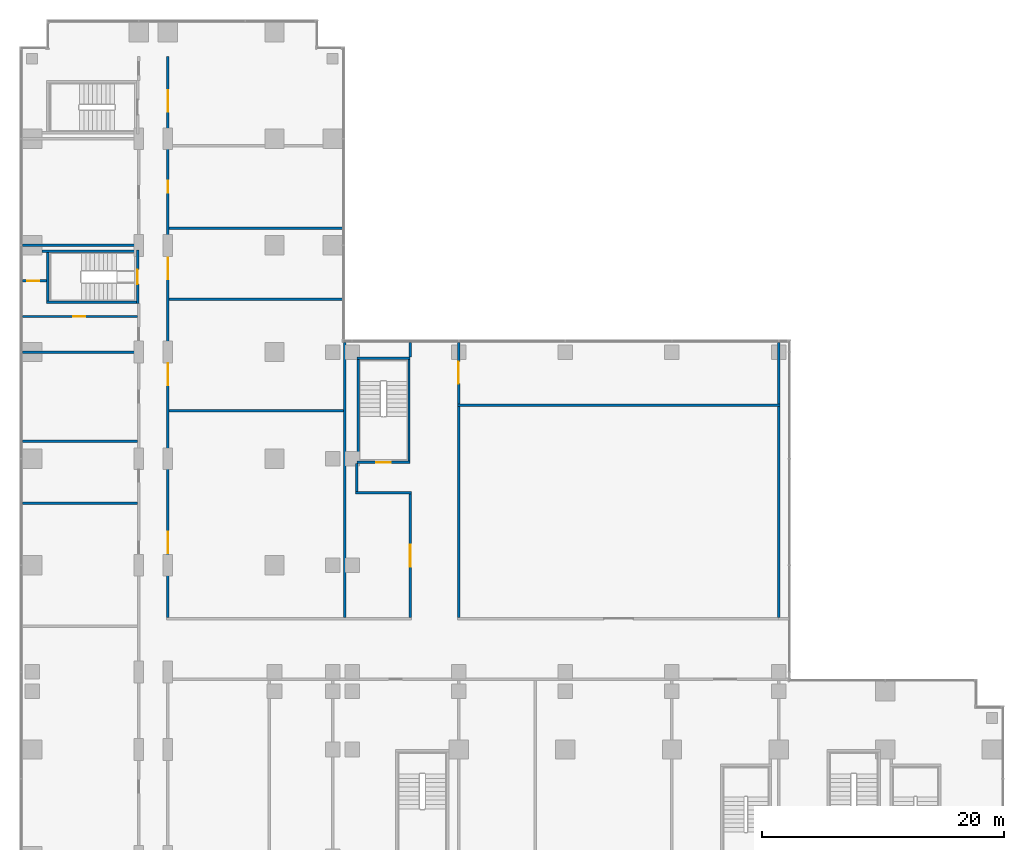
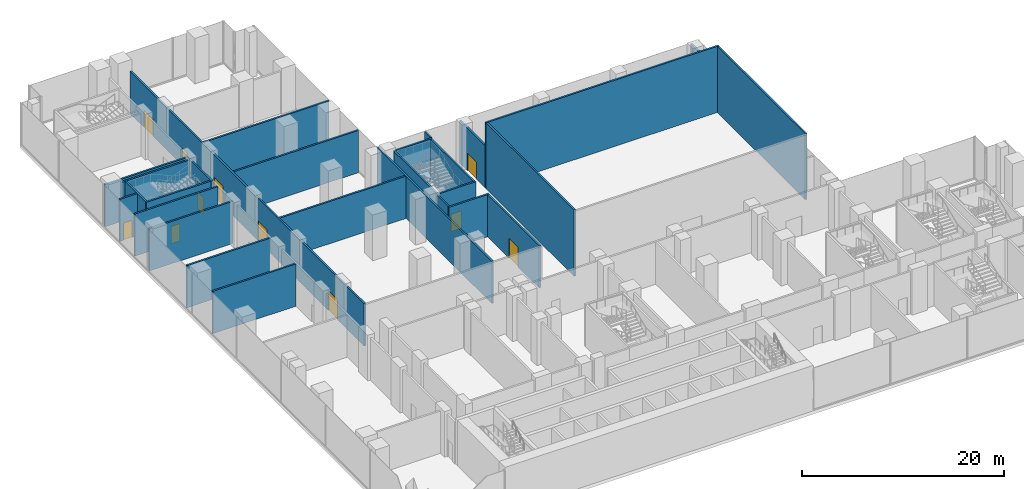
# One storey, part 20 of 30: 28 walls, 11 doors, 11 openings.
"""IFC4 building model written with IfcOpenShell, lengths in metres."""

from ifc_helpers import new_model, si_unit, direction, frame, frame_2d, origin, place, context, subcontext, project, spatial, rectangle, extrude, material, layer, layer_set, type_object, element, fill, save


model = new_model("IFC4")

# Units and contexts
model_context = context("Model", 3, precision=1e-05, world=origin(), true_north=direction((0.0, 1.0)))
body_context = subcontext(model_context, "Body", "Model", "MODEL_VIEW")
ifc_project = project(units=[si_unit("LENGTHUNIT", "METRE"), si_unit("AREAUNIT", "SQUARE_METRE"), si_unit("VOLUMEUNIT", "CUBIC_METRE"), si_unit("PLANEANGLEUNIT", "RADIAN"), si_unit("MASSUNIT", "GRAM", prefix="KILO")], contexts=[model_context])

# Site, building, storey
site_placement = place(None, origin())
site = spatial("IfcSite", under=ifc_project, at=site_placement, CompositionType="ELEMENT")
building_placement = place(site_placement, origin())
building = spatial("IfcBuilding", under=site, at=building_placement, Name="Kemantara Hotel Tower", CompositionType="ELEMENT")
storey_placement = place(building_placement, frame((0.0, 0.0, 18.0)))
storey = spatial("IfcBuildingStorey", under=building, at=storey_placement, Name="L03", CompositionType="ELEMENT", Elevation=18.0)

# Wall, opening, door
ifc_material_1 = material(Name="Concrete fc 40 MPa", Category="concrete")
ifc_layer_1 = layer(ifc_material_1, 0.199951171875)
ifc_layer_set_1 = layer_set([ifc_layer_1], Name="Concrete fc 40 MPa")
wall_type_1 = type_object("IfcWallType", Name="Concrete stair wall 200 mm", PredefinedType="SHEAR", material=ifc_layer_set_1)
wall_1_placement = place(storey_placement, frame((9.699951171875, 57.800048828125, 0.0), z_axis=(0.0, 0.0, 1.0), x_axis=(0.0, 1.0, 0.0)))
wall_1 = element("IfcWall", 1, at=wall_1_placement, inside=storey, type_object=wall_type_1, Name="Stair ST4 enclosure wall with door", PredefinedType="SHEAR", context=body_context, shape_type="SweptSolid", body=[
    extrude(rectangle(XDim=4.39990234375, YDim=0.199951171875, at=frame_2d((2.199951171875, 0.0))), origin(), (0.0, 0.0, 1.0), 5.10009765625),
])
opening_1_placement = place(wall_1_placement, frame((1.60009765625, 0.0, 0.0)))
opening_1 = element("IfcOpeningElement", 2, at=opening_1_placement, cuts=wall_1, Name="Opening ST4-C", PredefinedType="OPENING", context=body_context, shape_type="SweptSolid", body=[
    extrude(rectangle(XDim=1.199951171875, YDim=2.10009765625, at=frame_2d((0.60009765625, 1.050048828125))), frame((0.0, 0.10986328125, 0.0), z_axis=(0.0, -1.0, 0.0), x_axis=(1.0, 0.0, 0.0)), (0.0, 0.0, 1.0), 0.219970703125),
])
ifc_material_2 = material(Name="Steel fire door", Category="steel")
door_type_1 = type_object("IfcDoorType", Name="Fire door FD90 1200 x 2100", OperationType="NOTDEFINED", PredefinedType="DOOR", material=ifc_material_2)
door_1_placement = place(opening_1_placement, origin())
door_1 = element("IfcDoor", 3, at=door_1_placement, inside=storey, type_object=door_type_1, Name="Stair ST4 door", OperationType="SINGLE_SWING_RIGHT", OverallHeight=2.10009765625, OverallWidth=1.199951171875, PredefinedType="DOOR", context=body_context, shape_type="SweptSolid", body=[
    extrude(rectangle(XDim=1.199951171875, YDim=2.10009765625, at=frame_2d((0.60009765625, 1.050048828125))), frame((0.0, 0.02490234375, 0.0), z_axis=(0.0, -1.0, 0.0), x_axis=(1.0, 0.0, 0.0)), (0.0, 0.0, 1.0), 0.050048828125),
])
fill(opening_1, door_1)

# Walls
wall_2_placement = place(storey_placement, frame((1.800048828125, 62.10009765625, 0.0), z_axis=(0.0, 0.0, 1.0), x_axis=(1.0, 0.0, 0.0)))
element("IfcWall", 4, at=wall_2_placement, inside=storey, type_object=wall_type_1, Name="Stair ST4 enclosure wall N", PredefinedType="SHEAR", context=body_context, shape_type="SweptSolid", body=[
    extrude(rectangle(XDim=7.800048828125, YDim=0.199951171875, at=frame_2d((3.89990234375, 0.0))), origin(), (0.0, 0.0, 1.0), 5.10009765625),
])
wall_3_placement = place(storey_placement, frame((2.199951171875, 57.89990234375, 0.0), z_axis=(0.0, 0.0, 1.0), x_axis=(1.0, 0.0, 0.0)))
element("IfcWall", 5, at=wall_3_placement, inside=storey, type_object=wall_type_1, Name="Stair ST4 enclosure wall S", PredefinedType="SHEAR", context=body_context, shape_type="SweptSolid", body=[
    extrude(rectangle(XDim=7.400146484375, YDim=0.199951171875, at=frame_2d((3.7001953125, 0.0))), origin(), (0.0, 0.0, 1.0), 5.10009765625),
])
wall_4_placement = place(storey_placement, frame((2.300048828125, 58.0, 0.0), z_axis=(0.0, 0.0, 1.0), x_axis=(0.0, 1.0, 0.0)))
element("IfcWall", 6, at=wall_4_placement, inside=storey, type_object=wall_type_1, Name="Stair ST4 enclosure wall W", PredefinedType="SHEAR", context=body_context, shape_type="SweptSolid", body=[
    extrude(rectangle(XDim=4.0, YDim=0.199951171875, at=frame_2d((2.0, 0.0))), origin(), (0.0, 0.0, 1.0), 5.10009765625),
])

# Wall, opening, door
wall_5_placement = place(storey_placement, frame((27.800048828125, 44.699951171875, 0.0), z_axis=(0.0, 0.0, 1.0), x_axis=(1.0, 0.0, 0.0)))
wall_5 = element("IfcWall", 7, at=wall_5_placement, inside=storey, type_object=wall_type_1, Name="Stair PS2 enclosure wall with door", PredefinedType="SHEAR", context=body_context, shape_type="SweptSolid", body=[
    extrude(rectangle(XDim=4.39990234375, YDim=0.199951171875, at=frame_2d((2.199951171875, 0.0))), origin(), (0.0, 0.0, 1.0), 5.10009765625),
])
opening_2_placement = place(wall_5_placement, frame((1.60009765625, 0.0, 0.0)))
opening_2 = element("IfcOpeningElement", 8, at=opening_2_placement, cuts=wall_5, Name="Opening PS2-C", PredefinedType="OPENING", context=body_context, shape_type="SweptSolid", body=[
    extrude(rectangle(XDim=1.199951171875, YDim=2.10009765625, at=frame_2d((0.60009765625, 1.050048828125))), frame((0.0, 0.10986328125, 0.0), z_axis=(0.0, -1.0, 0.0), x_axis=(1.0, 0.0, 0.0)), (0.0, 0.0, 1.0), 0.219970703125),
])
door_2_placement = place(opening_2_placement, origin())
door_2 = element("IfcDoor", 9, at=door_2_placement, inside=storey, type_object=door_type_1, Name="Stair PS2 door", OperationType="SINGLE_SWING_LEFT", OverallHeight=2.10009765625, OverallWidth=1.199951171875, PredefinedType="DOOR", context=body_context, shape_type="SweptSolid", body=[
    extrude(rectangle(XDim=1.199951171875, YDim=2.10009765625, at=frame_2d((0.60009765625, 1.050048828125))), frame((0.0, 0.02490234375, 0.0), z_axis=(0.0, -1.0, 0.0), x_axis=(1.0, 0.0, 0.0)), (0.0, 0.0, 1.0), 0.050048828125),
])
fill(opening_2, door_2)

# Walls
wall_6_placement = place(storey_placement, frame((27.800048828125, 53.300048828125, 0.0), z_axis=(0.0, 0.0, 1.0), x_axis=(1.0, 0.0, 0.0)))
element("IfcWall", 10, at=wall_6_placement, inside=storey, type_object=wall_type_1, Name="Stair PS2 enclosure wall N", PredefinedType="SHEAR", context=body_context, shape_type="SweptSolid", body=[
    extrude(rectangle(XDim=4.39990234375, YDim=0.199951171875, at=frame_2d((2.199951171875, 0.0))), origin(), (0.0, 0.0, 1.0), 5.10009765625),
])
for number, where, z_axis, x_axis, name in (
    (11, (27.89990234375, 44.800048828125, 0.0), (0.0, 0.0, 1.0), (0.0, 1.0, 0.0), "Stair PS2 enclosure wall W"),
    (12, (32.10009765625, 44.800048828125, 0.0), (0.0, 0.0, 1.0), (0.0, 1.0, 0.0), "Stair PS2 enclosure wall E"),
):
    element("IfcWall", number, at=place(storey_placement, frame(where, z_axis=z_axis, x_axis=x_axis)), inside=storey, type_object=wall_type_1, Name=name, PredefinedType="SHEAR", context=body_context, shape_type="SweptSolid", body=[
        extrude(rectangle(XDim=8.39990234375, YDim=0.199951171875, at=frame_2d((4.199951171875, 0.0))), origin(), (0.0, 0.0, 1.0), 5.10009765625),
    ])
ifc_material_3 = material(Name="Clay brick masonry", Category="masonry")
ifc_layer_2 = layer(ifc_material_3, 0.199951171875)
ifc_layer_set_2 = layer_set([ifc_layer_2], Name="Clay brick masonry")
wall_type_2 = type_object("IfcWallType", Name="FIRE-RATED CLAY BRICK WALL 200 EI 120", PredefinedType="PARTITIONING", material=ifc_layer_set_2)
wall_7_placement = place(storey_placement, frame((62.60009765625, 31.89990234375, 0.0), z_axis=(0.0, 0.0, 1.0), x_axis=(0.0, 1.0, 0.0)))
element("IfcWall", 13, at=wall_7_placement, inside=storey, type_object=wall_type_2, Name="FIRE WALL", PredefinedType="PARTITIONING", context=body_context, shape_type="SweptSolid", body=[
    extrude(rectangle(XDim=17.400146484375, YDim=0.199951171875, at=frame_2d((8.7001953125, 0.0))), origin(), (0.0, 0.0, 1.0), 8.0),
])
wall_8_placement = place(storey_placement, frame((62.60009765625, 49.5, 0.0), z_axis=(0.0, 0.0, 1.0), x_axis=(0.0, 1.0, 0.0)))
element("IfcWall", 14, at=wall_8_placement, inside=storey, type_object=wall_type_2, Name="FIRE WALL", PredefinedType="PARTITIONING", context=body_context, shape_type="SweptSolid", body=[
    extrude(rectangle(XDim=5.10009765625, YDim=0.199951171875, at=frame_2d((2.550048828125, 0.0))), origin(), (0.0, 0.0, 1.0), 5.10009765625),
])

# Wall, openings, doors
ifc_material_4 = material(Name="Fire-rated gypsum board partition")
ifc_layer_3 = layer(ifc_material_4, 0.199951171875)
ifc_layer_set_3 = layer_set([ifc_layer_3], Name="Fire-rated gypsum board partition")
wall_type_3 = type_object("IfcWallType", Name="FIRE-RATED GYPSUM PARTITION 200 EI 60", PredefinedType="PARTITIONING", material=ifc_layer_set_3)
wall_9_placement = place(storey_placement, frame((12.199951171875, 31.89990234375, 0.0), z_axis=(0.0, 0.0, 1.0), x_axis=(0.0, 1.0, 0.0)))
wall_9 = element("IfcWall", 15, at=wall_9_placement, inside=storey, type_object=wall_type_3, Name="FIRE-RATED PARTITION", PredefinedType="PARTITIONING", context=body_context, shape_type="SweptSolid", body=[
    extrude(rectangle(XDim=46.300048828125, YDim=0.199951171875, at=frame_2d((23.14990234375, 0.0))), origin(), (0.0, 0.0, 1.0), 5.10009765625),
])
opening_3_placement = place(wall_9_placement, frame((5.2900390625, 0.0, 0.0)))
opening_3 = element("IfcOpeningElement", 16, at=opening_3_placement, cuts=wall_9, Name="Opening L03-B014", PredefinedType="OPENING", context=body_context, shape_type="SweptSolid", body=[
    extrude(rectangle(XDim=1.800048828125, YDim=2.39990234375, at=frame_2d((0.89990234375, 1.199951171875))), frame((0.0, 0.10986328125, 0.0), z_axis=(0.0, -1.0, 0.0), x_axis=(1.0, 0.0, 0.0)), (0.0, 0.0, 1.0), 0.219970703125),
])
opening_4_placement = place(wall_9_placement, frame((19.1650390625, 0.0, 0.0)))
opening_4 = element("IfcOpeningElement", 17, at=opening_4_placement, cuts=wall_9, Name="Opening L03-B015", PredefinedType="OPENING", context=body_context, shape_type="SweptSolid", body=[
    extrude(rectangle(XDim=1.800048828125, YDim=2.39990234375, at=frame_2d((0.89990234375, 1.199951171875))), frame((0.0, 0.10986328125, 0.0), z_axis=(0.0, -1.0, 0.0), x_axis=(1.0, 0.0, 0.0)), (0.0, 0.0, 1.0), 0.219970703125),
])
opening_5_placement = place(wall_9_placement, frame((27.89501953125, 0.0, 0.0)))
opening_5 = element("IfcOpeningElement", 18, at=opening_5_placement, cuts=wall_9, Name="Opening L03-B016", PredefinedType="OPENING", context=body_context, shape_type="SweptSolid", body=[
    extrude(rectangle(XDim=1.800048828125, YDim=2.39990234375, at=frame_2d((0.89990234375, 1.199951171875))), frame((0.0, 0.10986328125, 0.0), z_axis=(0.0, -1.0, 0.0), x_axis=(1.0, 0.0, 0.0)), (0.0, 0.0, 1.0), 0.219970703125),
])
opening_6_placement = place(wall_9_placement, frame((35.02490234375, 0.0, 0.0)))
opening_6 = element("IfcOpeningElement", 19, at=opening_6_placement, cuts=wall_9, Name="Opening L03-B017", PredefinedType="OPENING", context=body_context, shape_type="SweptSolid", body=[
    extrude(rectangle(XDim=1.0, YDim=2.10009765625, at=frame_2d((0.5, 1.050048828125))), frame((0.0, 0.10986328125, 0.0), z_axis=(0.0, -1.0, 0.0), x_axis=(1.0, 0.0, 0.0)), (0.0, 0.0, 1.0), 0.219970703125),
])
opening_7_placement = place(wall_9_placement, frame((41.7099609375, 0.0, 0.0)))
opening_7 = element("IfcOpeningElement", 20, at=opening_7_placement, cuts=wall_9, Name="Opening L03-B018", PredefinedType="OPENING", context=body_context, shape_type="SweptSolid", body=[
    extrude(rectangle(XDim=1.800048828125, YDim=2.10009765625, at=frame_2d((0.89990234375, 1.050048828125))), frame((0.0, 0.10986328125, 0.0), z_axis=(0.0, -1.0, 0.0), x_axis=(1.0, 0.0, 0.0)), (0.0, 0.0, 1.0), 0.219970703125),
])
ifc_material_5 = material(Name="Timber veneer door leaf", Category="wood")
door_type_2 = type_object("IfcDoorType", Name="DOUBLE LEAF TIMBER DOOR 1800 X 2100", OperationType="DOUBLE_DOOR_SINGLE_SWING", PredefinedType="DOOR", material=ifc_material_5)
door_3_placement = place(opening_7_placement, origin())
door_3 = element("IfcDoor", 21, at=door_3_placement, inside=storey, type_object=door_type_2, Name="DOUBLE LEAF TIMBER DOOR", OperationType="DOUBLE_DOOR_SINGLE_SWING", OverallHeight=2.10009765625, OverallWidth=1.800048828125, PredefinedType="DOOR", context=body_context, shape_type="SweptSolid", body=[
    extrude(rectangle(XDim=1.800048828125, YDim=2.10009765625, at=frame_2d((0.89990234375, 1.050048828125))), frame((0.0, 0.02490234375, 0.0), z_axis=(0.0, -1.0, 0.0), x_axis=(1.0, 0.0, 0.0)), (0.0, 0.0, 1.0), 0.050048828125),
])
fill(opening_7, door_3)
ifc_material_6 = material(Name="Toughened glass door leaf", Category="glass")
door_type_3 = type_object("IfcDoorType", Name="GLAZED DOUBLE DOOR 1800 X 2400", OperationType="DOUBLE_DOOR_SINGLE_SWING", PredefinedType="DOOR", material=ifc_material_6)
door_4_placement = place(opening_3_placement, origin())
door_4 = element("IfcDoor", 22, at=door_4_placement, inside=storey, type_object=door_type_3, Name="GLAZED DOUBLE DOOR", OperationType="DOUBLE_DOOR_SINGLE_SWING", OverallHeight=2.39990234375, OverallWidth=1.800048828125, PredefinedType="DOOR", context=body_context, shape_type="SweptSolid", body=[
    extrude(rectangle(XDim=1.800048828125, YDim=2.39990234375, at=frame_2d((0.89990234375, 1.199951171875))), frame((0.0, 0.02490234375, 0.0), z_axis=(0.0, -1.0, 0.0), x_axis=(1.0, 0.0, 0.0)), (0.0, 0.0, 1.0), 0.050048828125),
])
fill(opening_3, door_4)
door_5_placement = place(opening_4_placement, origin())
door_5 = element("IfcDoor", 23, at=door_5_placement, inside=storey, type_object=door_type_3, Name="GLAZED DOUBLE DOOR", OperationType="DOUBLE_DOOR_SINGLE_SWING", OverallHeight=2.39990234375, OverallWidth=1.800048828125, PredefinedType="DOOR", context=body_context, shape_type="SweptSolid", body=[
    extrude(rectangle(XDim=1.800048828125, YDim=2.39990234375, at=frame_2d((0.89990234375, 1.199951171875))), frame((0.0, 0.02490234375, 0.0), z_axis=(0.0, -1.0, 0.0), x_axis=(1.0, 0.0, 0.0)), (0.0, 0.0, 1.0), 0.050048828125),
])
fill(opening_4, door_5)
door_6_placement = place(opening_5_placement, origin())
door_6 = element("IfcDoor", 24, at=door_6_placement, inside=storey, type_object=door_type_3, Name="GLAZED DOUBLE DOOR", OperationType="DOUBLE_DOOR_SINGLE_SWING", OverallHeight=2.39990234375, OverallWidth=1.800048828125, PredefinedType="DOOR", context=body_context, shape_type="SweptSolid", body=[
    extrude(rectangle(XDim=1.800048828125, YDim=2.39990234375, at=frame_2d((0.89990234375, 1.199951171875))), frame((0.0, 0.02490234375, 0.0), z_axis=(0.0, -1.0, 0.0), x_axis=(1.0, 0.0, 0.0)), (0.0, 0.0, 1.0), 0.050048828125),
])
fill(opening_5, door_6)
door_type_4 = type_object("IfcDoorType", Name="SINGLE LEAF TIMBER DOOR 1000 X 2100", OperationType="SINGLE_SWING_LEFT", PredefinedType="DOOR", material=ifc_material_5)
door_7_placement = place(opening_6_placement, frame((1.0, 0.0, 0.0), z_axis=(0.0, 0.0, 1.0), x_axis=(-1.0, 0.0, 0.0)))
door_7 = element("IfcDoor", 25, at=door_7_placement, inside=storey, type_object=door_type_4, Name="SINGLE LEAF TIMBER DOOR", OperationType="SINGLE_SWING_LEFT", OverallHeight=2.10009765625, OverallWidth=1.0, PredefinedType="DOOR", context=body_context, shape_type="SweptSolid", body=[
    extrude(rectangle(XDim=1.0, YDim=2.10009765625, at=frame_2d((0.5, 1.050048828125))), frame((0.0, 0.02490234375, 0.0), z_axis=(0.0, -1.0, 0.0), x_axis=(1.0, 0.0, 0.0)), (0.0, 0.0, 1.0), 0.050048828125),
])
fill(opening_6, door_7)

# Wall, opening, door
wall_10_placement = place(storey_placement, frame((36.199951171875, 49.5, 0.0), z_axis=(0.0, 0.0, 1.0), x_axis=(0.0, 1.0, 0.0)))
wall_10 = element("IfcWall", 26, at=wall_10_placement, inside=storey, type_object=wall_type_3, Name="FIRE-RATED PARTITION", PredefinedType="PARTITIONING", context=body_context, shape_type="SweptSolid", body=[
    extrude(rectangle(XDim=5.10009765625, YDim=0.199951171875, at=frame_2d((2.550048828125, 0.0))), origin(), (0.0, 0.0, 1.0), 5.10009765625),
])
opening_8_placement = place(wall_10_placement, frame((1.699951171875, 0.0, 0.0)))
opening_8 = element("IfcOpeningElement", 27, at=opening_8_placement, cuts=wall_10, Name="Opening L03-B028", PredefinedType="OPENING", context=body_context, shape_type="SweptSolid", body=[
    extrude(rectangle(XDim=1.800048828125, YDim=2.10009765625, at=frame_2d((0.89990234375, 1.050048828125))), frame((0.0, 0.10986328125, 0.0), z_axis=(0.0, -1.0, 0.0), x_axis=(1.0, 0.0, 0.0)), (0.0, 0.0, 1.0), 0.219970703125),
])
door_8_placement = place(opening_8_placement, frame((1.800048828125, 0.0, 0.0), z_axis=(0.0, 0.0, 1.0), x_axis=(-1.0, 0.0, 0.0)))
door_8 = element("IfcDoor", 28, at=door_8_placement, inside=storey, type_object=door_type_2, Name="DOUBLE LEAF TIMBER DOOR", OperationType="DOUBLE_DOOR_SINGLE_SWING", OverallHeight=2.10009765625, OverallWidth=1.800048828125, PredefinedType="DOOR", context=body_context, shape_type="SweptSolid", body=[
    extrude(rectangle(XDim=1.800048828125, YDim=2.10009765625, at=frame_2d((0.89990234375, 1.050048828125))), frame((0.0, 0.02490234375, 0.0), z_axis=(0.0, -1.0, 0.0), x_axis=(1.0, 0.0, 0.0)), (0.0, 0.0, 1.0), 0.050048828125),
])
fill(opening_8, door_8)

# Walls
ifc_material_7 = material(Name="Gypsum board partition")
ifc_layer_4 = layer(ifc_material_7, 0.199951171875)
ifc_layer_set_4 = layer_set([ifc_layer_4], Name="Gypsum board partition")
wall_type_4 = type_object("IfcWallType", Name="GYPSUM BOARD PARTITION 200", PredefinedType="PARTITIONING", material=ifc_layer_set_4)
wall_11_placement = place(storey_placement, frame((27.699951171875, 42.199951171875, 0.0), z_axis=(0.0, 0.0, 1.0), x_axis=(1.0, 0.0, 0.0)))
element("IfcWall", 29, at=wall_11_placement, inside=storey, type_object=wall_type_4, Name="PARTITION", PredefinedType="PARTITIONING", context=body_context, shape_type="SweptSolid", body=[
    extrude(rectangle(XDim=4.60009765625, YDim=0.199951171875, at=frame_2d((2.300048828125, 0.0))), origin(), (0.0, 0.0, 1.0), 5.10009765625),
])
for number, where, z_axis, x_axis, name in (
    (30, (0.199951171875, 41.31005859375, 0.0), (0.0, 0.0, 1.0), (1.0, 0.0, 0.0), "PARTITION"),
    (31, (0.199951171875, 46.449951171875, 0.0), (0.0, 0.0, 1.0), (1.0, 0.0, 0.0), "PARTITION"),
    (32, (0.199951171875, 53.800048828125, 0.0), (0.0, 0.0, 1.0), (1.0, 0.0, 0.0), "PARTITION"),
):
    element("IfcWall", number, at=place(storey_placement, frame(where, z_axis=z_axis, x_axis=x_axis)), inside=storey, type_object=wall_type_4, Name=name, PredefinedType="PARTITIONING", context=body_context, shape_type="SweptSolid", body=[
        extrude(rectangle(XDim=9.5, YDim=0.199951171875, at=frame_2d((4.75, 0.0))), origin(), (0.0, 0.0, 1.0), 5.10009765625),
    ])

# Wall, opening, door
wall_12_placement = place(storey_placement, frame((0.199951171875, 56.73291015625, 0.0), z_axis=(0.0, 0.0, 1.0), x_axis=(1.0, 0.0, 0.0)))
wall_12 = element("IfcWall", 33, at=wall_12_placement, inside=storey, type_object=wall_type_4, Name="PARTITION", PredefinedType="PARTITIONING", context=body_context, shape_type="SweptSolid", body=[
    extrude(rectangle(XDim=9.5, YDim=0.199951171875, at=frame_2d((4.75, 0.0))), origin(), (0.0, 0.0, 1.0), 5.10009765625),
])
opening_9_placement = place(wall_12_placement, frame((4.199951171875, 0.0, 0.0)))
opening_9 = element("IfcOpeningElement", 34, at=opening_9_placement, cuts=wall_12, Name="Opening L03-B001", PredefinedType="OPENING", context=body_context, shape_type="SweptSolid", body=[
    extrude(rectangle(XDim=1.0, YDim=2.10009765625, at=frame_2d((0.5, 1.050048828125))), frame((0.0, 0.10986328125, 0.0), z_axis=(0.0, -1.0, 0.0), x_axis=(1.0, 0.0, 0.0)), (0.0, 0.0, 1.0), 0.219970703125),
])
door_9_placement = place(opening_9_placement, origin())
door_9 = element("IfcDoor", 35, at=door_9_placement, inside=storey, type_object=door_type_4, Name="SINGLE LEAF TIMBER DOOR", OperationType="SINGLE_SWING_LEFT", OverallHeight=2.10009765625, OverallWidth=1.0, PredefinedType="DOOR", context=body_context, shape_type="SweptSolid", body=[
    extrude(rectangle(XDim=1.0, YDim=2.10009765625, at=frame_2d((0.5, 1.050048828125))), frame((0.0, 0.02490234375, 0.0), z_axis=(0.0, -1.0, 0.0), x_axis=(1.0, 0.0, 0.0)), (0.0, 0.0, 1.0), 0.050048828125),
])
fill(opening_9, door_9)

wall_13_placement = place(storey_placement, frame((0.199951171875, 59.6669921875, 0.0), z_axis=(0.0, 0.0, 1.0), x_axis=(1.0, 0.0, 0.0)))
wall_13 = element("IfcWall", 36, at=wall_13_placement, inside=storey, type_object=wall_type_4, Name="PARTITION", PredefinedType="PARTITIONING", context=body_context, shape_type="SweptSolid", body=[
    extrude(rectangle(XDim=2.0, YDim=0.199951171875, at=frame_2d((1.0, 0.0))), origin(), (0.0, 0.0, 1.0), 5.10009765625),
])
opening_10_placement = place(wall_13_placement, frame((0.39990234375, 0.0, 0.0)))
opening_10 = element("IfcOpeningElement", 37, at=opening_10_placement, cuts=wall_13, Name="Opening L03-B002", PredefinedType="OPENING", context=body_context, shape_type="SweptSolid", body=[
    extrude(rectangle(XDim=1.0, YDim=2.10009765625, at=frame_2d((0.5, 1.050048828125))), frame((0.0, 0.10986328125, 0.0), z_axis=(0.0, -1.0, 0.0), x_axis=(1.0, 0.0, 0.0)), (0.0, 0.0, 1.0), 0.219970703125),
])
door_10_placement = place(opening_10_placement, origin())
door_10 = element("IfcDoor", 38, at=door_10_placement, inside=storey, type_object=door_type_4, Name="SINGLE LEAF TIMBER DOOR", OperationType="SINGLE_SWING_LEFT", OverallHeight=2.10009765625, OverallWidth=1.0, PredefinedType="DOOR", context=body_context, shape_type="SweptSolid", body=[
    extrude(rectangle(XDim=1.0, YDim=2.10009765625, at=frame_2d((0.5, 1.050048828125))), frame((0.0, 0.02490234375, 0.0), z_axis=(0.0, -1.0, 0.0), x_axis=(1.0, 0.0, 0.0)), (0.0, 0.0, 1.0), 0.050048828125),
])
fill(opening_10, door_10)

# Walls
wall_14_placement = place(storey_placement, frame((0.199951171875, 62.60009765625, 0.0), z_axis=(0.0, 0.0, 1.0), x_axis=(1.0, 0.0, 0.0)))
element("IfcWall", 39, at=wall_14_placement, inside=storey, type_object=wall_type_4, Name="PARTITION", PredefinedType="PARTITIONING", context=body_context, shape_type="SweptSolid", body=[
    extrude(rectangle(XDim=9.5, YDim=0.199951171875, at=frame_2d((4.75, 0.0))), origin(), (0.0, 0.0, 1.0), 5.10009765625),
])
wall_15_placement = place(storey_placement, frame((12.300048828125, 48.969970703125, 0.0), z_axis=(0.0, 0.0, 1.0), x_axis=(1.0, 0.0, 0.0)))
element("IfcWall", 40, at=wall_15_placement, inside=storey, type_object=wall_type_4, Name="PARTITION", PredefinedType="PARTITIONING", context=body_context, shape_type="SweptSolid", body=[
    extrude(rectangle(XDim=14.39990234375, YDim=0.199951171875, at=frame_2d((7.199951171875, 0.0))), origin(), (0.0, 0.0, 1.0), 5.10009765625),
])
for number, where, z_axis, x_axis, name in (
    (41, (12.300048828125, 58.159912109375, 0.0), (0.0, 0.0, 1.0), (1.0, 0.0, 0.0), "PARTITION"),
    (42, (12.300048828125, 64.030029296875, 0.0), (0.0, 0.0, 1.0), (1.0, 0.0, 0.0), "PARTITION"),
):
    element("IfcWall", number, at=place(storey_placement, frame(where, z_axis=z_axis, x_axis=x_axis)), inside=storey, type_object=wall_type_4, Name=name, PredefinedType="PARTITIONING", context=body_context, shape_type="SweptSolid", body=[
        extrude(rectangle(XDim=14.300048828125, YDim=0.199951171875, at=frame_2d((7.14990234375, 0.0))), origin(), (0.0, 0.0, 1.0), 5.10009765625),
    ])
wall_16_placement = place(storey_placement, frame((36.10009765625, 49.39990234375, 0.0), z_axis=(0.0, 0.0, 1.0), x_axis=(1.0, 0.0, 0.0)))
element("IfcWall", 43, at=wall_16_placement, inside=storey, type_object=wall_type_4, Name="PARTITION", PredefinedType="PARTITIONING", context=body_context, shape_type="SweptSolid", body=[
    extrude(rectangle(XDim=26.599853515625, YDim=0.199951171875, at=frame_2d((13.2998046875, 0.0))), origin(), (0.0, 0.0, 1.0), 8.0),
])
wall_17_placement = place(storey_placement, frame((36.199951171875, 31.89990234375, 0.0), z_axis=(0.0, 0.0, 1.0), x_axis=(0.0, 1.0, 0.0)))
element("IfcWall", 44, at=wall_17_placement, inside=storey, type_object=wall_type_4, Name="PARTITION", PredefinedType="PARTITIONING", context=body_context, shape_type="SweptSolid", body=[
    extrude(rectangle(XDim=17.400146484375, YDim=0.199951171875, at=frame_2d((8.7001953125, 0.0))), origin(), (0.0, 0.0, 1.0), 8.0),
])

# Wall, opening, door
wall_18_placement = place(storey_placement, frame((32.199951171875, 31.89990234375, 0.0), z_axis=(0.0, 0.0, 1.0), x_axis=(0.0, 1.0, 0.0)))
wall_18 = element("IfcWall", 45, at=wall_18_placement, inside=storey, type_object=wall_type_4, Name="PARTITION", PredefinedType="PARTITIONING", context=body_context, shape_type="SweptSolid", body=[
    extrude(rectangle(XDim=10.2001953125, YDim=0.199951171875, at=frame_2d((5.10009765625, 0.0))), origin(), (0.0, 0.0, 1.0), 5.10009765625),
])
opening_11_placement = place(wall_18_placement, frame((4.199951171875, 0.0, 0.0)))
opening_11 = element("IfcOpeningElement", 46, at=opening_11_placement, cuts=wall_18, Name="Opening L03-B029", PredefinedType="OPENING", context=body_context, shape_type="SweptSolid", body=[
    extrude(rectangle(XDim=1.800048828125, YDim=2.39990234375, at=frame_2d((0.89990234375, 1.199951171875))), frame((0.0, 0.10986328125, 0.0), z_axis=(0.0, -1.0, 0.0), x_axis=(1.0, 0.0, 0.0)), (0.0, 0.0, 1.0), 0.219970703125),
])
door_11_placement = place(opening_11_placement, frame((1.800048828125, 0.0, 0.0), z_axis=(0.0, 0.0, 1.0), x_axis=(-1.0, 0.0, 0.0)))
door_11 = element("IfcDoor", 47, at=door_11_placement, inside=storey, type_object=door_type_3, Name="GLAZED DOUBLE DOOR", OperationType="DOUBLE_DOOR_SINGLE_SWING", OverallHeight=2.39990234375, OverallWidth=1.800048828125, PredefinedType="DOOR", context=body_context, shape_type="SweptSolid", body=[
    extrude(rectangle(XDim=1.800048828125, YDim=2.39990234375, at=frame_2d((0.89990234375, 1.199951171875))), frame((0.0, 0.02490234375, 0.0), z_axis=(0.0, -1.0, 0.0), x_axis=(1.0, 0.0, 0.0)), (0.0, 0.0, 1.0), 0.050048828125),
])
fill(opening_11, door_11)

# Walls
wall_19_placement = place(storey_placement, frame((32.199951171875, 53.39990234375, 0.0), z_axis=(0.0, 0.0, 1.0), x_axis=(0.0, 1.0, 0.0)))
element("IfcWall", 48, at=wall_19_placement, inside=storey, type_object=wall_type_4, Name="PARTITION", PredefinedType="PARTITIONING", context=body_context, shape_type="SweptSolid", body=[
    extrude(rectangle(XDim=1.2001953125, YDim=0.199951171875, at=frame_2d((0.60009765625, 0.0))), origin(), (0.0, 0.0, 1.0), 5.10009765625),
])
wall_20_placement = place(storey_placement, frame((27.800048828125, 42.300048828125, 0.0), z_axis=(0.0, 0.0, 1.0), x_axis=(0.0, 1.0, 0.0)))
element("IfcWall", 49, at=wall_20_placement, inside=storey, type_object=wall_type_4, Name="PARTITION", PredefinedType="PARTITIONING", context=body_context, shape_type="SweptSolid", body=[
    extrude(rectangle(XDim=2.300048828125, YDim=0.199951171875, at=frame_2d((1.14990234375, 0.0))), origin(), (0.0, 0.0, 1.0), 5.10009765625),
])
wall_21_placement = place(storey_placement, frame((26.800048828125, 31.89990234375, 0.0), z_axis=(0.0, 0.0, 1.0), x_axis=(0.0, 1.0, 0.0)))
element("IfcWall", 50, at=wall_21_placement, inside=storey, type_object=wall_type_4, Name="PARTITION", PredefinedType="PARTITIONING", context=body_context, shape_type="SweptSolid", body=[
    extrude(rectangle(XDim=22.7001953125, YDim=0.199951171875, at=frame_2d((11.35009765625, 0.0))), origin(), (0.0, 0.0, 1.0), 5.10009765625),
])

save(model, "model.ifc")
